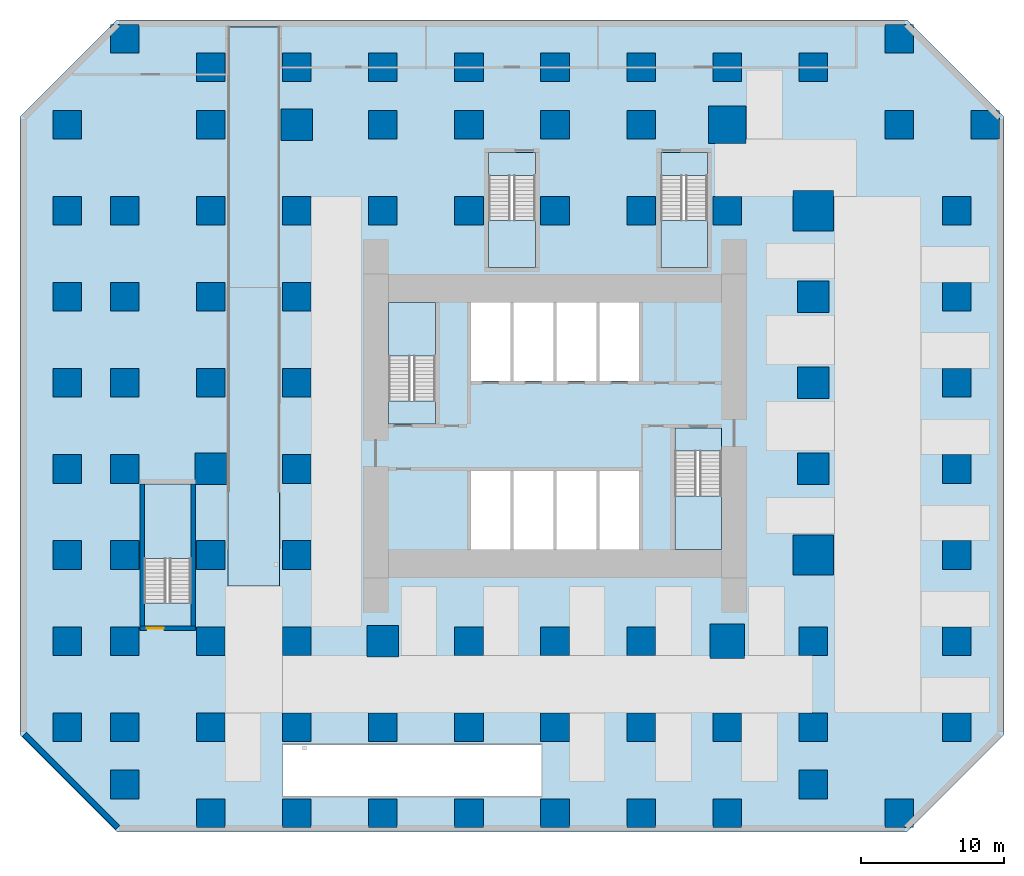
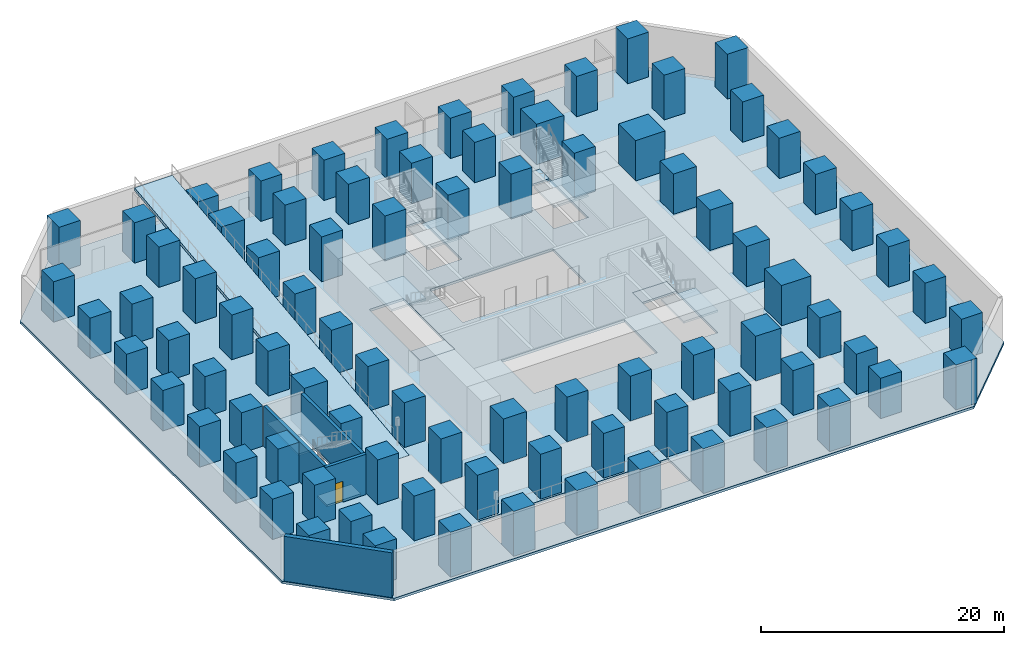
# One storey, part 1 of 6: 87 columns, 12 slabs, 4 walls, 1 door, 1 opening, 5 elements without a shape of their own.
"""IFC4 building model written with IfcOpenShell, lengths in metres."""

from ifc_helpers import new_model, si_unit, direction, frame, frame_2d, origin, origin_2d, place, context, subcontext, project, spatial, polyline, rectangle, outline, extrude, material, layer, layer_set, material_profile, profile_set, type_object, element, fill, aggregate, save


model = new_model("IFC4")

# Units and contexts
model_context = context("Model", 3, precision=1e-05, world=origin(), true_north=direction((0.0, 1.0)))
body_context = subcontext(model_context, "Body", "Model", "MODEL_VIEW")
ifc_project = project(units=[si_unit("LENGTHUNIT", "METRE"), si_unit("AREAUNIT", "SQUARE_METRE"), si_unit("VOLUMEUNIT", "CUBIC_METRE"), si_unit("PLANEANGLEUNIT", "RADIAN"), si_unit("MASSUNIT", "GRAM", prefix="KILO")], contexts=[model_context])

# Site, building, storey
site_placement = place(None, origin())
site = spatial("IfcSite", under=ifc_project, at=site_placement, CompositionType="ELEMENT")
building_placement = place(site_placement, origin())
building = spatial("IfcBuilding", under=site, at=building_placement, Name="Highveld Stack Headquarters", CompositionType="ELEMENT")
storey_placement = place(building_placement, frame((0.0, 0.0, -4.5)))
storey = spatial("IfcBuildingStorey", under=building, at=storey_placement, Name="B1", CompositionType="ELEMENT", Elevation=-4.5)

# Columns
ifc_material_1 = material(Name="Concrete C60/75", Category="concrete")
ifc_material_profile_1 = material_profile(ifc_material_1, rectangle(XDim=2.0, YDim=2.0, at=origin_2d()), Name="RC 2000x2000")
ifc_profile_set_1 = profile_set([ifc_material_profile_1], Name="Concrete C60/75")
column_type_1 = type_object("IfcColumnType", Name="COLUMN RC 2000x2000 C60/75", PredefinedType="COLUMN", material=ifc_profile_set_1)
for number, where, z_axis, x_axis, name in (
    (1, (-28.0, -18.0, 0.0), (0.0, 0.0, 1.0), (1.0, 0.0, 0.0), "Column -28.0/B B1"),
    (2, (-28.0, -12.0, 0.0), (0.0, 0.0, 1.0), (1.0, 0.0, 0.0), "Column -28.0/C B1"),
    (3, (-28.0, -6.0, 0.0), (0.0, 0.0, 1.0), (1.0, 0.0, 0.0), "Column -28.0/D B1"),
    (4, (-28.0, 0.0, 0.0), (0.0, 0.0, 1.0), (1.0, 0.0, 0.0), "Column -28.0/E B1"),
    (5, (-28.0, 6.0, 0.0), (0.0, 0.0, 1.0), (1.0, 0.0, 0.0), "Column -28.0/F B1"),
    (6, (-28.0, 12.0, 0.0), (0.0, 0.0, 1.0), (1.0, 0.0, 0.0), "Column -28.0/G B1"),
    (7, (-28.0, 18.0, 0.0), (0.0, 0.0, 1.0), (1.0, 0.0, 0.0), "Column -28.0/H B1"),
    (8, (-28.0, 24.0, 0.0), (0.0, 0.0, 1.0), (1.0, 0.0, 0.0), "Column -28.0/J B1"),
    (9, (-24.0, -22.0, 0.0), (0.0, 0.0, 1.0), (1.0, 0.0, 0.0), "Column 2/-22.0 B1"),
    (10, (-24.0, -18.0, 0.0), (0.0, 0.0, 1.0), (1.0, 0.0, 0.0), "Column 2/B B1"),
    (11, (-24.0, -12.0, 0.0), (0.0, 0.0, 1.0), (1.0, 0.0, 0.0), "Column 2/C B1"),
    (12, (-24.0, -6.0, 0.0), (0.0, 0.0, 1.0), (1.0, 0.0, 0.0), "Column 2/D B1"),
    (13, (-24.0, 0.0, 0.0), (0.0, 0.0, 1.0), (1.0, 0.0, 0.0), "Column 2/E B1"),
    (14, (-24.0, 6.0, 0.0), (0.0, 0.0, 1.0), (1.0, 0.0, 0.0), "Column 2/F B1"),
    (15, (-24.0, 12.0, 0.0), (0.0, 0.0, 1.0), (1.0, 0.0, 0.0), "Column 2/G B1"),
    (16, (-24.0, 18.0, 0.0), (0.0, 0.0, 1.0), (1.0, 0.0, 0.0), "Column 2/H B1"),
):
    element("IfcColumn", number, at=place(storey_placement, frame(where, z_axis=z_axis, x_axis=x_axis)), inside=storey, type_object=column_type_1, Name=name, PredefinedType="COLUMN", context=body_context, shape_type="SweptSolid", body=[
        extrude(rectangle(XDim=2.0, YDim=2.0, at=origin_2d()), origin(), (0.0, 0.0, 1.0), 4.050048828125),
    ])
for number, where, z_axis, x_axis, name in (
    (17, (-24.0, 30.0, 0.0), (0.0, 0.0, 1.0), (1.0, 0.0, 0.0), "Column 2/K B1"),
    (18, (-18.0, -24.0, 0.0), (0.0, 0.0, 1.0), (1.0, 0.0, 0.0), "Column 3/A B1"),
    (19, (-18.0, -18.0, 0.0), (0.0, 0.0, 1.0), (1.0, 0.0, 0.0), "Column 3/B B1"),
    (20, (-18.0, -12.0, 0.0), (0.0, 0.0, 1.0), (1.0, 0.0, 0.0), "Column 3/C B1"),
    (21, (-18.0, -6.0, 0.0), (0.0, 0.0, 1.0), (1.0, 0.0, 0.0), "Column 3/D B1"),
    (22, (-18.0, 6.0, 0.0), (0.0, 0.0, 1.0), (1.0, 0.0, 0.0), "Column 3/F B1"),
    (23, (-18.0, 12.0, 0.0), (0.0, 0.0, 1.0), (1.0, 0.0, 0.0), "Column 3/G B1"),
    (24, (-18.0, 18.0, 0.0), (0.0, 0.0, 1.0), (1.0, 0.0, 0.0), "Column 3/H B1"),
):
    element("IfcColumn", number, at=place(storey_placement, frame(where, z_axis=z_axis, x_axis=x_axis)), inside=storey, type_object=column_type_1, Name=name, PredefinedType="COLUMN", context=body_context, shape_type="SweptSolid", body=[
        extrude(rectangle(XDim=2.0, YDim=2.0, at=origin_2d()), origin(), (0.0, 0.0, 1.0), 4.5),
    ])
for number, where, z_axis, x_axis, name in (
    (25, (-18.0, 24.0, 0.0), (0.0, 0.0, 1.0), (1.0, 0.0, 0.0), "Column 3/J B1"),
    (26, (-18.0, 28.0, 0.0), (0.0, 0.0, 1.0), (1.0, 0.0, 0.0), "Column 3/28.0 B1"),
):
    element("IfcColumn", number, at=place(storey_placement, frame(where, z_axis=z_axis, x_axis=x_axis)), inside=storey, type_object=column_type_1, Name=name, PredefinedType="COLUMN", context=body_context, shape_type="SweptSolid", body=[
        extrude(rectangle(XDim=2.0, YDim=2.0, at=origin_2d()), origin(), (0.0, 0.0, 1.0), 4.050048828125),
    ])
for number, where, z_axis, x_axis, name in (
    (27, (-12.0, -24.0, 0.0), (0.0, 0.0, 1.0), (1.0, 0.0, 0.0), "Column 4/A B1"),
    (28, (-12.0, -18.0, 0.0), (0.0, 0.0, 1.0), (1.0, 0.0, 0.0), "Column 4/B B1"),
    (29, (-12.0, -12.0, 0.0), (0.0, 0.0, 1.0), (1.0, 0.0, 0.0), "Column 4/C B1"),
    (30, (-12.0, -6.0, 0.0), (0.0, 0.0, 1.0), (1.0, 0.0, 0.0), "Column 4/D B1"),
    (31, (-12.0, 0.0, 0.0), (0.0, 0.0, 1.0), (1.0, 0.0, 0.0), "Column 4/E B1"),
    (32, (-12.0, 6.0, 0.0), (0.0, 0.0, 1.0), (1.0, 0.0, 0.0), "Column 4/F B1"),
    (33, (-12.0, 12.0, 0.0), (0.0, 0.0, 1.0), (1.0, 0.0, 0.0), "Column 4/G B1"),
    (34, (-12.0, 18.0, 0.0), (0.0, 0.0, 1.0), (1.0, 0.0, 0.0), "Column 4/H B1"),
):
    element("IfcColumn", number, at=place(storey_placement, frame(where, z_axis=z_axis, x_axis=x_axis)), inside=storey, type_object=column_type_1, Name=name, PredefinedType="COLUMN", context=body_context, shape_type="SweptSolid", body=[
        extrude(rectangle(XDim=2.0, YDim=2.0, at=origin_2d()), origin(), (0.0, 0.0, 1.0), 4.5),
    ])
column_1_placement = place(storey_placement, frame((-12.0, 28.0, 0.0), z_axis=(0.0, 0.0, 1.0), x_axis=(1.0, 0.0, 0.0)))
element("IfcColumn", 35, at=column_1_placement, inside=storey, type_object=column_type_1, Name="Column 4/28.0 B1", PredefinedType="COLUMN", context=body_context, shape_type="SweptSolid", body=[
    extrude(rectangle(XDim=2.0, YDim=2.0, at=origin_2d()), origin(), (0.0, 0.0, 1.0), 4.050048828125),
])
for number, where, z_axis, x_axis, name in (
    (36, (-6.0, -24.0, 0.0), (0.0, 0.0, 1.0), (1.0, 0.0, 0.0), "Column 5/A B1"),
    (37, (-6.0, -18.0, 0.0), (0.0, 0.0, 1.0), (1.0, 0.0, 0.0), "Column 5/B B1"),
    (38, (-6.0, 18.0, 0.0), (0.0, 0.0, 1.0), (1.0, 0.0, 0.0), "Column 5/H B1"),
):
    element("IfcColumn", number, at=place(storey_placement, frame(where, z_axis=z_axis, x_axis=x_axis)), inside=storey, type_object=column_type_1, Name=name, PredefinedType="COLUMN", context=body_context, shape_type="SweptSolid", body=[
        extrude(rectangle(XDim=2.0, YDim=2.0, at=origin_2d()), origin(), (0.0, 0.0, 1.0), 4.5),
    ])
for number, where, z_axis, x_axis, name in (
    (39, (-6.0, 24.0, 0.0), (0.0, 0.0, 1.0), (1.0, 0.0, 0.0), "Column 5/J B1"),
    (40, (-6.0, 28.0, 0.0), (0.0, 0.0, 1.0), (1.0, 0.0, 0.0), "Column 5/28.0 B1"),
):
    element("IfcColumn", number, at=place(storey_placement, frame(where, z_axis=z_axis, x_axis=x_axis)), inside=storey, type_object=column_type_1, Name=name, PredefinedType="COLUMN", context=body_context, shape_type="SweptSolid", body=[
        extrude(rectangle(XDim=2.0, YDim=2.0, at=origin_2d()), origin(), (0.0, 0.0, 1.0), 4.050048828125),
    ])
for number, where, z_axis, x_axis, name in (
    (41, (0.0, -24.0, 0.0), (0.0, 0.0, 1.0), (1.0, 0.0, 0.0), "Column 6/A B1"),
    (42, (0.0, -18.0, 0.0), (0.0, 0.0, 1.0), (1.0, 0.0, 0.0), "Column 6/B B1"),
    (43, (0.0, -12.0, 0.0), (0.0, 0.0, 1.0), (1.0, 0.0, 0.0), "Column 6/C B1"),
    (44, (0.0, 18.0, 0.0), (0.0, 0.0, 1.0), (1.0, 0.0, 0.0), "Column 6/H B1"),
):
    element("IfcColumn", number, at=place(storey_placement, frame(where, z_axis=z_axis, x_axis=x_axis)), inside=storey, type_object=column_type_1, Name=name, PredefinedType="COLUMN", context=body_context, shape_type="SweptSolid", body=[
        extrude(rectangle(XDim=2.0, YDim=2.0, at=origin_2d()), origin(), (0.0, 0.0, 1.0), 4.5),
    ])
for number, where, z_axis, x_axis, name in (
    (45, (0.0, 24.0, 0.0), (0.0, 0.0, 1.0), (1.0, 0.0, 0.0), "Column 6/J B1"),
    (46, (0.0, 28.0, 0.0), (0.0, 0.0, 1.0), (1.0, 0.0, 0.0), "Column 6/28.0 B1"),
):
    element("IfcColumn", number, at=place(storey_placement, frame(where, z_axis=z_axis, x_axis=x_axis)), inside=storey, type_object=column_type_1, Name=name, PredefinedType="COLUMN", context=body_context, shape_type="SweptSolid", body=[
        extrude(rectangle(XDim=2.0, YDim=2.0, at=origin_2d()), origin(), (0.0, 0.0, 1.0), 4.050048828125),
    ])
for number, where, z_axis, x_axis, name in (
    (47, (6.0, -24.0, 0.0), (0.0, 0.0, 1.0), (1.0, 0.0, 0.0), "Column 7/A B1"),
    (48, (6.0, -18.0, 0.0), (0.0, 0.0, 1.0), (1.0, 0.0, 0.0), "Column 7/B B1"),
    (49, (6.0, -12.0, 0.0), (0.0, 0.0, 1.0), (1.0, 0.0, 0.0), "Column 7/C B1"),
    (50, (6.0, 18.0, 0.0), (0.0, 0.0, 1.0), (1.0, 0.0, 0.0), "Column 7/H B1"),
):
    element("IfcColumn", number, at=place(storey_placement, frame(where, z_axis=z_axis, x_axis=x_axis)), inside=storey, type_object=column_type_1, Name=name, PredefinedType="COLUMN", context=body_context, shape_type="SweptSolid", body=[
        extrude(rectangle(XDim=2.0, YDim=2.0, at=origin_2d()), origin(), (0.0, 0.0, 1.0), 4.5),
    ])
for number, where, z_axis, x_axis, name in (
    (51, (6.0, 24.0, 0.0), (0.0, 0.0, 1.0), (1.0, 0.0, 0.0), "Column 7/J B1"),
    (52, (6.0, 28.0, 0.0), (0.0, 0.0, 1.0), (1.0, 0.0, 0.0), "Column 7/28.0 B1"),
):
    element("IfcColumn", number, at=place(storey_placement, frame(where, z_axis=z_axis, x_axis=x_axis)), inside=storey, type_object=column_type_1, Name=name, PredefinedType="COLUMN", context=body_context, shape_type="SweptSolid", body=[
        extrude(rectangle(XDim=2.0, YDim=2.0, at=origin_2d()), origin(), (0.0, 0.0, 1.0), 4.050048828125),
    ])
for number, where, z_axis, x_axis, name in (
    (53, (12.0, -24.0, 0.0), (0.0, 0.0, 1.0), (1.0, 0.0, 0.0), "Column 8/A B1"),
    (54, (12.0, -18.0, 0.0), (0.0, 0.0, 1.0), (1.0, 0.0, 0.0), "Column 8/B B1"),
    (55, (12.0, -12.0, 0.0), (0.0, 0.0, 1.0), (1.0, 0.0, 0.0), "Column 8/C B1"),
    (56, (12.0, 18.0, 0.0), (0.0, 0.0, 1.0), (1.0, 0.0, 0.0), "Column 8/H B1"),
):
    element("IfcColumn", number, at=place(storey_placement, frame(where, z_axis=z_axis, x_axis=x_axis)), inside=storey, type_object=column_type_1, Name=name, PredefinedType="COLUMN", context=body_context, shape_type="SweptSolid", body=[
        extrude(rectangle(XDim=2.0, YDim=2.0, at=origin_2d()), origin(), (0.0, 0.0, 1.0), 4.5),
    ])
for number, where, z_axis, x_axis, name in (
    (57, (12.0, 24.0, 0.0), (0.0, 0.0, 1.0), (1.0, 0.0, 0.0), "Column 8/J B1"),
    (58, (12.0, 28.0, 0.0), (0.0, 0.0, 1.0), (1.0, 0.0, 0.0), "Column 8/28.0 B1"),
):
    element("IfcColumn", number, at=place(storey_placement, frame(where, z_axis=z_axis, x_axis=x_axis)), inside=storey, type_object=column_type_1, Name=name, PredefinedType="COLUMN", context=body_context, shape_type="SweptSolid", body=[
        extrude(rectangle(XDim=2.0, YDim=2.0, at=origin_2d()), origin(), (0.0, 0.0, 1.0), 4.050048828125),
    ])
for number, where, z_axis, x_axis, name in (
    (59, (18.0, -24.0, 0.0), (0.0, 0.0, 1.0), (1.0, 0.0, 0.0), "Column 9/A B1"),
    (60, (18.0, -18.0, 0.0), (0.0, 0.0, 1.0), (1.0, 0.0, 0.0), "Column 9/B B1"),
    (61, (18.0, 18.0, 0.0), (0.0, 0.0, 1.0), (1.0, 0.0, 0.0), "Column 9/H B1"),
):
    element("IfcColumn", number, at=place(storey_placement, frame(where, z_axis=z_axis, x_axis=x_axis)), inside=storey, type_object=column_type_1, Name=name, PredefinedType="COLUMN", context=body_context, shape_type="SweptSolid", body=[
        extrude(rectangle(XDim=2.0, YDim=2.0, at=origin_2d()), origin(), (0.0, 0.0, 1.0), 4.5),
    ])
for number, where, z_axis, x_axis, name in (
    (62, (18.0, 28.0, 0.0), (0.0, 0.0, 1.0), (1.0, 0.0, 0.0), "Column 9/28.0 B1"),
    (63, (24.0, -22.0, 0.0), (0.0, 0.0, 1.0), (1.0, 0.0, 0.0), "Column 10/-22.0 B1"),
    (64, (24.0, -18.0, 0.0), (0.0, 0.0, 1.0), (1.0, 0.0, 0.0), "Column 10/B B1"),
    (65, (24.0, -12.0, 0.0), (0.0, 0.0, 1.0), (1.0, 0.0, 0.0), "Column 10/C B1"),
    (66, (24.0, 28.0, 0.0), (0.0, 0.0, 1.0), (1.0, 0.0, 0.0), "Column 10/28.0 B1"),
):
    element("IfcColumn", number, at=place(storey_placement, frame(where, z_axis=z_axis, x_axis=x_axis)), inside=storey, type_object=column_type_1, Name=name, PredefinedType="COLUMN", context=body_context, shape_type="SweptSolid", body=[
        extrude(rectangle(XDim=2.0, YDim=2.0, at=origin_2d()), origin(), (0.0, 0.0, 1.0), 4.050048828125),
    ])
for number, where, z_axis, x_axis, name in (
    (67, (30.0, -24.0, 0.0), (0.0, 0.0, 1.0), (1.0, 0.0, 0.0), "Column 11/A B1"),
    (68, (30.0, 24.0, 0.0), (0.0, 0.0, 1.0), (1.0, 0.0, 0.0), "Column 11/J B1"),
    (69, (30.0, 30.0, 0.0), (0.0, 0.0, 1.0), (1.0, 0.0, 0.0), "Column 11/K B1"),
):
    element("IfcColumn", number, at=place(storey_placement, frame(where, z_axis=z_axis, x_axis=x_axis)), inside=storey, type_object=column_type_1, Name=name, PredefinedType="COLUMN", context=body_context, shape_type="SweptSolid", body=[
        extrude(rectangle(XDim=2.0, YDim=2.0, at=origin_2d()), origin(), (0.0, 0.0, 1.0), 4.5),
    ])
for number, where, z_axis, x_axis, name in (
    (70, (34.0, -18.0, 0.0), (0.0, 0.0, 1.0), (1.0, 0.0, 0.0), "Column 34.0/B B1"),
    (71, (34.0, -12.0, 0.0), (0.0, 0.0, 1.0), (1.0, 0.0, 0.0), "Column 34.0/C B1"),
    (72, (34.0, -6.0, 0.0), (0.0, 0.0, 1.0), (1.0, 0.0, 0.0), "Column 34.0/D B1"),
    (73, (34.0, 0.0, 0.0), (0.0, 0.0, 1.0), (1.0, 0.0, 0.0), "Column 34.0/E B1"),
    (74, (34.0, 6.0, 0.0), (0.0, 0.0, 1.0), (1.0, 0.0, 0.0), "Column 34.0/F B1"),
    (75, (34.0, 12.0, 0.0), (0.0, 0.0, 1.0), (1.0, 0.0, 0.0), "Column 34.0/G B1"),
    (76, (34.0, 18.0, 0.0), (0.0, 0.0, 1.0), (1.0, 0.0, 0.0), "Column 34.0/H B1"),
):
    element("IfcColumn", number, at=place(storey_placement, frame(where, z_axis=z_axis, x_axis=x_axis)), inside=storey, type_object=column_type_1, Name=name, PredefinedType="COLUMN", context=body_context, shape_type="SweptSolid", body=[
        extrude(rectangle(XDim=2.0, YDim=2.0, at=origin_2d()), origin(), (0.0, 0.0, 1.0), 4.050048828125),
    ])
column_2_placement = place(storey_placement, frame((36.0, 24.0, 0.0), z_axis=(0.0, 0.0, 1.0), x_axis=(1.0, 0.0, 0.0)))
element("IfcColumn", 77, at=column_2_placement, inside=storey, type_object=column_type_1, Name="Column 12/J B1", PredefinedType="COLUMN", context=body_context, shape_type="SweptSolid", body=[
    extrude(rectangle(XDim=2.0, YDim=2.0, at=origin_2d()), origin(), (0.0, 0.0, 1.0), 4.5),
])
ifc_material_2 = material(Name="Concrete C60/75", Category="concrete")
ifc_material_profile_2 = material_profile(ifc_material_2, rectangle(XDim=2.199951171875, YDim=2.199951171875, at=origin_2d()), Name="RC 2200x2200")
ifc_profile_set_2 = profile_set([ifc_material_profile_2], Name="Concrete C60/75")
column_type_2 = type_object("IfcColumnType", Name="COLUMN RC 2200x2200 C60/75", PredefinedType="COLUMN", material=ifc_profile_set_2)
column_3_placement = place(storey_placement, frame((-18.0, 0.0, 0.0), z_axis=(0.0, 0.0, 1.0), x_axis=(1.0, 0.0, 0.0)))
element("IfcColumn", 78, at=column_3_placement, inside=storey, type_object=column_type_2, Name="Column 3/E B1", PredefinedType="COLUMN", context=body_context, shape_type="SweptSolid", body=[
    extrude(rectangle(XDim=2.199951171875, YDim=2.199951171875, at=origin_2d()), origin(), (0.0, 0.0, 1.0), 4.5),
])
column_4_placement = place(storey_placement, frame((-12.0, 24.0, 0.0), z_axis=(0.0, 0.0, 1.0), x_axis=(1.0, 0.0, 0.0)))
element("IfcColumn", 79, at=column_4_placement, inside=storey, type_object=column_type_2, Name="Column 4/J B1", PredefinedType="COLUMN", context=body_context, shape_type="SweptSolid", body=[
    extrude(rectangle(XDim=2.199951171875, YDim=2.199951171875, at=origin_2d()), origin(), (0.0, 0.0, 1.0), 4.050048828125),
])
column_5_placement = place(storey_placement, frame((-6.0, -12.0, 0.0), z_axis=(0.0, 0.0, 1.0), x_axis=(1.0, 0.0, 0.0)))
element("IfcColumn", 80, at=column_5_placement, inside=storey, type_object=column_type_2, Name="Column 5/C B1", PredefinedType="COLUMN", context=body_context, shape_type="SweptSolid", body=[
    extrude(rectangle(XDim=2.199951171875, YDim=2.199951171875, at=origin_2d()), origin(), (0.0, 0.0, 1.0), 4.5),
])
for number, where, z_axis, x_axis, name in (
    (81, (24.0, 0.0, 0.0), (0.0, 0.0, 1.0), (1.0, 0.0, 0.0), "Column 10/E B1"),
    (82, (24.0, 6.0, 0.0), (0.0, 0.0, 1.0), (1.0, 0.0, 0.0), "Column 10/F B1"),
    (83, (24.0, 12.0, 0.0), (0.0, 0.0, 1.0), (1.0, 0.0, 0.0), "Column 10/G B1"),
):
    element("IfcColumn", number, at=place(storey_placement, frame(where, z_axis=z_axis, x_axis=x_axis)), inside=storey, type_object=column_type_2, Name=name, PredefinedType="COLUMN", context=body_context, shape_type="SweptSolid", body=[
        extrude(rectangle(XDim=2.199951171875, YDim=2.199951171875, at=origin_2d()), origin(), (0.0, 0.0, 1.0), 4.050048828125),
    ])
ifc_material_3 = material(Name="Concrete C60/75", Category="concrete")
ifc_material_profile_3 = material_profile(ifc_material_3, rectangle(XDim=2.39990234375, YDim=2.39990234375, at=origin_2d()), Name="RC 2400x2400")
ifc_profile_set_3 = profile_set([ifc_material_profile_3], Name="Concrete C60/75")
column_type_3 = type_object("IfcColumnType", Name="COLUMN RC 2400x2400 C60/75", PredefinedType="COLUMN", material=ifc_profile_set_3)
column_6_placement = place(storey_placement, frame((18.0, -12.0, 0.0), z_axis=(0.0, 0.0, 1.0), x_axis=(1.0, 0.0, 0.0)))
element("IfcColumn", 84, at=column_6_placement, inside=storey, type_object=column_type_3, Name="Column 9/C B1", PredefinedType="COLUMN", context=body_context, shape_type="SweptSolid", body=[
    extrude(rectangle(XDim=2.39990234375, YDim=2.39990234375, at=origin_2d()), origin(), (0.0, 0.0, 1.0), 4.5),
])
ifc_material_4 = material(Name="Concrete C60/75", Category="concrete")
ifc_material_profile_4 = material_profile(ifc_material_4, rectangle(XDim=2.60009765625, YDim=2.60009765625, at=origin_2d()), Name="RC 2600x2600")
ifc_profile_set_4 = profile_set([ifc_material_profile_4], Name="Concrete C60/75")
column_type_4 = type_object("IfcColumnType", Name="COLUMN RC 2600x2600 C60/75", PredefinedType="COLUMN", material=ifc_profile_set_4)
column_7_placement = place(storey_placement, frame((18.0, 24.0, 0.0), z_axis=(0.0, 0.0, 1.0), x_axis=(1.0, 0.0, 0.0)))
element("IfcColumn", 85, at=column_7_placement, inside=storey, type_object=column_type_4, Name="Column 9/J B1", PredefinedType="COLUMN", context=body_context, shape_type="SweptSolid", body=[
    extrude(rectangle(XDim=2.60009765625, YDim=2.60009765625, at=origin_2d()), origin(), (0.0, 0.0, 1.0), 4.050048828125),
])
ifc_material_5 = material(Name="Concrete C60/75", Category="concrete")
ifc_material_profile_5 = material_profile(ifc_material_5, rectangle(XDim=2.800048828125, YDim=2.800048828125, at=origin_2d()), Name="RC 2800x2800")
ifc_profile_set_5 = profile_set([ifc_material_profile_5], Name="Concrete C60/75")
column_type_5 = type_object("IfcColumnType", Name="COLUMN RC 2800x2800 C60/75", PredefinedType="COLUMN", material=ifc_profile_set_5)
for number, where, z_axis, x_axis, name in (
    (86, (24.0, -6.0, 0.0), (0.0, 0.0, 1.0), (1.0, 0.0, 0.0), "Column 10/D B1"),
    (87, (24.0, 18.0, 0.0), (0.0, 0.0, 1.0), (1.0, 0.0, 0.0), "Column 10/H B1"),
):
    element("IfcColumn", number, at=place(storey_placement, frame(where, z_axis=z_axis, x_axis=x_axis)), inside=storey, type_object=column_type_5, Name=name, PredefinedType="COLUMN", context=body_context, shape_type="SweptSolid", body=[
        extrude(rectangle(XDim=2.800048828125, YDim=2.800048828125, at=origin_2d()), origin(), (0.0, 0.0, 1.0), 4.050048828125),
    ])

# Slab
ifc_material_6 = material(Name="Concrete C60/75", Category="concrete")
ifc_layer_1 = layer(ifc_material_6, 0.25)
ifc_layer_set_1 = layer_set([ifc_layer_1], Name="Concrete C60/75")
slab_type_1 = type_object("IfcSlabType", Name="PT FLAT SLAB 250", PredefinedType="FLOOR", material=ifc_layer_set_1)
slab_1_placement = place(storey_placement, frame((0.0, 0.0, -0.25)))
element("IfcSlab", 88, at=slab_1_placement, inside=storey, type_object=slab_type_1, Name="Floor slab B1", PredefinedType="FLOOR", context=body_context, shape_type="SweptSolid", body=[
    extrude(outline(polyline([(-24.53857421875, -25.300048828125), (30.53857421875, -25.300048828125), (37.300048828125, -18.53857421875), (37.300048828125, 24.53857421875), (30.53857421875, 31.300048828125), (-24.53857421875, 31.300048828125), (-31.300048828125, 24.53857421875), (-31.300048828125, -18.53857421875), (-24.53857421875, -25.300048828125)]), holes=[polyline([(0.14990234375, 6.14990234375), (11.85009765625, 6.14990234375), (11.85009765625, 11.60009765625), (0.14990234375, 11.60009765625), (0.14990234375, 6.14990234375)]), polyline([(0.14990234375, -5.60009765625), (11.85009765625, -5.60009765625), (11.85009765625, -0.14990234375), (0.14990234375, -0.14990234375), (0.14990234375, -5.60009765625)]), polyline([(-5.60009765625, 3.14990234375), (-2.35009765625, 3.14990234375), (-2.35009765625, 11.60009765625), (-5.60009765625, 11.60009765625), (-5.60009765625, 3.14990234375)]), polyline([(14.35009765625, -5.60009765625), (17.60009765625, -5.60009765625), (17.60009765625, 2.85009765625), (14.35009765625, 2.85009765625), (14.35009765625, -5.60009765625)]), polyline([(-22.625, -10.949951171875), (-19.375, -10.949951171875), (-19.375, -1.050048828125), (-22.625, -1.050048828125), (-22.625, -10.949951171875)]), polyline([(13.375, 14.050048828125), (16.625, 14.050048828125), (16.625, 22.050048828125), (13.375, 22.050048828125), (13.375, 14.050048828125)]), polyline([(1.375, 14.050048828125), (4.625, 14.050048828125), (4.625, 22.050048828125), (1.375, 22.050048828125), (1.375, 14.050048828125)]), polyline([(-13.0, -22.800048828125), (5.039794921875, -22.800048828125), (5.039794921875, -19.199951171875), (-13.0, -19.199951171875), (-13.0, -22.800048828125)]), polyline([(-16.800048828125, -5.535400390625), (-16.800048828125, -8.14990234375), (-13.199951171875, -8.14990234375), (-13.199951171875, -5.535400390625), (-16.800048828125, -5.535400390625)])]), origin(), (0.0, 0.0, 1.0), 0.25),
])

# Stair, slabs
ifc_material_7 = material(Name="Concrete C40/50, precast", Category="concrete")
stair_type_1 = type_object("IfcStairType", Name="STAIR S1 HALF TURN 1500", PredefinedType="HALF_TURN_STAIR", material=ifc_material_7)
stair_1_placement = place(storey_placement, origin())
stair_1 = element("IfcStair", 89, at=stair_1_placement, inside=storey, type_object=stair_type_1, Name="Stair S1 B1", PredefinedType="HALF_TURN_STAIR")
ifc_material_8 = material(Name="Concrete C40/50, precast", Category="concrete")
ifc_layer_2 = layer(ifc_material_8, 0.199951171875)
ifc_layer_set_2 = layer_set([ifc_layer_2], Name="Concrete C40/50, precast")
slab_type_2 = type_object("IfcSlabType", Name="STAIR LANDING 200", PredefinedType="LANDING", material=ifc_layer_set_2)
slab_2_placement = place(storey_placement, frame((0.0, 0.0, 2.050048828125)))
slab_2 = element("IfcSlab", 90, at=slab_2_placement, type_object=slab_type_2, Name="S1 landing 1", PredefinedType="LANDING", context=body_context, shape_type="SweptSolid", body=[
    extrude(outline(polyline([(-5.60009765625, 7.8701171875), (-2.35009765625, 7.8701171875), (-2.35009765625, 11.60009765625), (-5.60009765625, 11.60009765625), (-5.60009765625, 7.8701171875)])), origin(), (0.0, 0.0, 1.0), 0.199951171875),
])
slab_3_placement = place(storey_placement, frame((0.0, 0.0, -0.199951171875)))
slab_3 = element("IfcSlab", 91, at=slab_3_placement, type_object=slab_type_2, Name="S1 landing 2", PredefinedType="LANDING", context=body_context, shape_type="SweptSolid", body=[
    extrude(outline(polyline([(-5.60009765625, 3.14990234375), (-2.35009765625, 3.14990234375), (-2.35009765625, 4.75), (-5.60009765625, 4.75), (-5.60009765625, 3.14990234375)])), origin(), (0.0, 0.0, 1.0), 0.199951171875),
])
aggregate(stair_1, [slab_2, slab_3])

ifc_material_9 = material(Name="Concrete C40/50, precast", Category="concrete")
stair_type_2 = type_object("IfcStairType", Name="STAIR S2 HALF TURN 1500", PredefinedType="HALF_TURN_STAIR", material=ifc_material_9)
stair_2_placement = place(storey_placement, origin())
stair_2 = element("IfcStair", 92, at=stair_2_placement, inside=storey, type_object=stair_type_2, Name="Stair S2 B1", PredefinedType="HALF_TURN_STAIR")
slab_4_placement = place(storey_placement, frame((0.0, 0.0, 2.050048828125)))
slab_4 = element("IfcSlab", 93, at=slab_4_placement, type_object=slab_type_2, Name="S2 landing 1", PredefinedType="LANDING", context=body_context, shape_type="SweptSolid", body=[
    extrude(outline(polyline([(14.35009765625, -5.60009765625), (17.60009765625, -5.60009765625), (17.60009765625, -1.8701171875), (14.35009765625, -1.8701171875), (14.35009765625, -5.60009765625)])), origin(), (0.0, 0.0, 1.0), 0.199951171875),
])
slab_5_placement = place(storey_placement, frame((0.0, 0.0, -0.199951171875)))
slab_5 = element("IfcSlab", 94, at=slab_5_placement, type_object=slab_type_2, Name="S2 landing 2", PredefinedType="LANDING", context=body_context, shape_type="SweptSolid", body=[
    extrude(outline(polyline([(14.35009765625, 1.25), (17.60009765625, 1.25), (17.60009765625, 2.85009765625), (14.35009765625, 2.85009765625), (14.35009765625, 1.25)])), origin(), (0.0, 0.0, 1.0), 0.199951171875),
])
aggregate(stair_2, [slab_4, slab_5])

ifc_material_10 = material(Name="Concrete C40/50, precast", Category="concrete")
stair_type_3 = type_object("IfcStairType", Name="STAIR PS1 HALF TURN 1500", PredefinedType="HALF_TURN_STAIR", material=ifc_material_10)
stair_3_placement = place(storey_placement, origin())
stair_3 = element("IfcStair", 95, at=stair_3_placement, inside=storey, type_object=stair_type_3, Name="Stair PS1 B1", PredefinedType="HALF_TURN_STAIR")
slab_6_placement = place(storey_placement, frame((0.0, 0.0, 2.050048828125)))
slab_6 = element("IfcSlab", 96, at=slab_6_placement, type_object=slab_type_2, Name="PS1 landing 1", PredefinedType="LANDING", context=body_context, shape_type="SweptSolid", body=[
    extrude(outline(polyline([(-22.625, -6.22998046875), (-19.375, -6.22998046875), (-19.375, -1.050048828125), (-22.625, -1.050048828125), (-22.625, -6.22998046875)])), origin(), (0.0, 0.0, 1.0), 0.199951171875),
])
slab_7_placement = place(storey_placement, frame((0.0, 0.0, -0.199951171875)))
slab_7 = element("IfcSlab", 97, at=slab_7_placement, type_object=slab_type_2, Name="PS1 landing 2", PredefinedType="LANDING", context=body_context, shape_type="SweptSolid", body=[
    extrude(outline(polyline([(-22.625, -10.949951171875), (-19.375, -10.949951171875), (-19.375, -9.35009765625), (-22.625, -9.35009765625), (-22.625, -10.949951171875)])), origin(), (0.0, 0.0, 1.0), 0.199951171875),
])
aggregate(stair_3, [slab_6, slab_7])

ifc_material_11 = material(Name="Concrete C40/50, precast", Category="concrete")
stair_type_4 = type_object("IfcStairType", Name="STAIR PS2 HALF TURN 1500", PredefinedType="HALF_TURN_STAIR", material=ifc_material_11)
stair_4_placement = place(storey_placement, origin())
stair_4 = element("IfcStair", 98, at=stair_4_placement, inside=storey, type_object=stair_type_4, Name="Stair PS2 B1", PredefinedType="HALF_TURN_STAIR")
slab_8_placement = place(storey_placement, frame((0.0, 0.0, 2.050048828125)))
slab_8 = element("IfcSlab", 99, at=slab_8_placement, type_object=slab_type_2, Name="PS2 landing 1", PredefinedType="LANDING", context=body_context, shape_type="SweptSolid", body=[
    extrude(outline(polyline([(13.375, 14.050048828125), (16.625, 14.050048828125), (16.625, 17.330078125), (13.375, 17.330078125), (13.375, 14.050048828125)])), origin(), (0.0, 0.0, 1.0), 0.199951171875),
])
slab_9_placement = place(storey_placement, frame((0.0, 0.0, -0.199951171875)))
slab_9 = element("IfcSlab", 100, at=slab_9_placement, type_object=slab_type_2, Name="PS2 landing 2", PredefinedType="LANDING", context=body_context, shape_type="SweptSolid", body=[
    extrude(outline(polyline([(13.375, 20.449951171875), (16.625, 20.449951171875), (16.625, 22.050048828125), (13.375, 22.050048828125), (13.375, 20.449951171875)])), origin(), (0.0, 0.0, 1.0), 0.199951171875),
])
aggregate(stair_4, [slab_8, slab_9])

ifc_material_12 = material(Name="Concrete C40/50, precast", Category="concrete")
stair_type_5 = type_object("IfcStairType", Name="STAIR PS3 HALF TURN 1500", PredefinedType="HALF_TURN_STAIR", material=ifc_material_12)
stair_5_placement = place(storey_placement, origin())
stair_5 = element("IfcStair", 101, at=stair_5_placement, inside=storey, type_object=stair_type_5, Name="Stair PS3 B1", PredefinedType="HALF_TURN_STAIR")
slab_10_placement = place(storey_placement, frame((0.0, 0.0, 2.050048828125)))
slab_10 = element("IfcSlab", 102, at=slab_10_placement, type_object=slab_type_2, Name="PS3 landing 1", PredefinedType="LANDING", context=body_context, shape_type="SweptSolid", body=[
    extrude(outline(polyline([(1.375, 14.050048828125), (4.625, 14.050048828125), (4.625, 17.330078125), (1.375, 17.330078125), (1.375, 14.050048828125)])), origin(), (0.0, 0.0, 1.0), 0.199951171875),
])
slab_11_placement = place(storey_placement, frame((0.0, 0.0, -0.199951171875)))
slab_11 = element("IfcSlab", 103, at=slab_11_placement, type_object=slab_type_2, Name="PS3 landing 2", PredefinedType="LANDING", context=body_context, shape_type="SweptSolid", body=[
    extrude(outline(polyline([(1.375, 20.449951171875), (4.625, 20.449951171875), (4.625, 22.050048828125), (1.375, 22.050048828125), (1.375, 20.449951171875)])), origin(), (0.0, 0.0, 1.0), 0.199951171875),
])
aggregate(stair_5, [slab_10, slab_11])

# Slab
ifc_material_13 = material(Name="Concrete C60/75", Category="concrete")
ifc_layer_3 = layer(ifc_material_13, 0.300048828125)
ifc_layer_set_3 = layer_set([ifc_layer_3], Name="Concrete C60/75")
slab_type_3 = type_object("IfcSlabType", Name="VEHICLE RAMP SLAB 300", PredefinedType="FLOOR", material=ifc_layer_set_3)
slab_12_placement = place(storey_placement, frame((-16.800048828125, 30.81591796875, 4.5), z_axis=(0.0, -0.114723330184, 0.993397482135), x_axis=(0.0, -0.993397482135, -0.114723330184)))
element("IfcSlab", 104, at=slab_12_placement, inside=storey, type_object=slab_type_3, Name="Vehicle ramp R1 ground floor to B1", PredefinedType="FLOOR", context=body_context, shape_type="SweptSolid", body=[
    extrude(outline(polyline([(0.0, 0.0), (39.22480277357731, 0.0), (39.22480277357731, 3.600097656250001), (0.0, 3.600097656250001), (0.0, 0.0)])), origin(), (0.0, 0.0, -1.0), 0.300048828125),
])

# Wall
ifc_material_14 = material(Name="Concrete C60/75", Category="concrete")
ifc_layer_4 = layer(ifc_material_14, 0.39990234375)
ifc_layer_set_4 = layer_set([ifc_layer_4], Name="Concrete C60/75")
wall_type_1 = type_object("IfcWallType", Name="BASEMENT RETAINING WALL 400", PredefinedType="USERDEFINED", material=ifc_layer_set_4)
wall_1_placement = place(storey_placement, frame((-24.494873046875, -24.989990234375, 0.0), z_axis=(0.0, 0.0, 1.0), x_axis=(-0.707106781187, 0.707106781187, 0.0)))
element("IfcWall", 105, at=wall_1_placement, inside=storey, type_object=wall_type_1, Name="Basement retaining wall B1 1", ObjectType="RETAINING WALL", PredefinedType="USERDEFINED", context=body_context, shape_type="SweptSolid", body=[
    extrude(rectangle(XDim=9.185546875, YDim=0.39990234375, at=frame_2d((4.5927734375, 0.0))), origin(), (0.0, 0.0, 1.0), 4.5),
])

# Wall, opening, door
ifc_material_15 = material(Name="Concrete C40/50", Category="concrete")
ifc_layer_5 = layer(ifc_material_15, 0.300048828125)
ifc_layer_set_5 = layer_set([ifc_layer_5], Name="Concrete C40/50")
wall_type_2 = type_object("IfcWallType", Name="STAIR ENCLOSURE WALL 300", PredefinedType="SOLIDWALL", material=ifc_layer_set_5)
wall_2_placement = place(storey_placement, frame((-22.925048828125, -11.10009765625, 0.0), z_axis=(0.0, 0.0, 1.0), x_axis=(1.0, 0.0, 0.0)))
wall_2 = element("IfcWall", 106, at=wall_2_placement, inside=storey, type_object=wall_type_2, Name="Stair PS1 enclosure S B1", PredefinedType="SOLIDWALL", context=body_context, shape_type="SweptSolid", body=[
    extrude(rectangle(XDim=3.85009765625, YDim=0.300048828125, at=frame_2d((1.925048828125, 0.0))), origin(), (0.0, 0.0, 1.0), 4.050048828125),
])
opening_placement = place(wall_2_placement, frame((0.449951171875, 0.0, 0.0)))
opening = element("IfcOpeningElement", 107, at=opening_placement, cuts=wall_2, Name="Opening B1-10", PredefinedType="OPENING", context=body_context, shape_type="SweptSolid", body=[
    extrude(rectangle(XDim=1.199951171875, YDim=2.10009765625, at=frame_2d((0.60009765625, 1.050048828125))), frame((0.0, 0.159912109375, 0.0), z_axis=(0.0, -1.0, 0.0), x_axis=(1.0, 0.0, 0.0)), (0.0, 0.0, 1.0), 0.320068359375),
])
ifc_material_16 = material(Name="Steel fire door", Category="steel")
door_type = type_object("IfcDoorType", Name="STAIR FIRE DOOR D3 1200x2100", OperationType="SINGLE_SWING_LEFT", PredefinedType="DOOR", material=ifc_material_16)
door_placement = place(opening_placement, origin())
door = element("IfcDoor", 108, at=door_placement, inside=storey, type_object=door_type, Name="Stair PS1 door B1", OperationType="SINGLE_SWING_LEFT", OverallHeight=2.10009765625, OverallWidth=1.199951171875, PredefinedType="DOOR", context=body_context, shape_type="SweptSolid", body=[
    extrude(rectangle(XDim=1.199951171875, YDim=2.10009765625, at=frame_2d((0.60009765625, 1.050048828125))), frame((0.0, 0.02490234375, 0.0), z_axis=(0.0, -1.0, 0.0), x_axis=(1.0, 0.0, 0.0)), (0.0, 0.0, 1.0), 0.050048828125),
])
fill(opening, door)

# Walls
for number, where, z_axis, x_axis, name in (
    (109, (-22.77490234375, -10.949951171875, 0.0), (0.0, 0.0, 1.0), (0.0, 1.0, 0.0), "Stair PS1 enclosure W B1"),
    (110, (-19.22509765625, -10.949951171875, 0.0), (0.0, 0.0, 1.0), (0.0, 1.0, 0.0), "Stair PS1 enclosure E B1"),
):
    element("IfcWall", number, at=place(storey_placement, frame(where, z_axis=z_axis, x_axis=x_axis)), inside=storey, type_object=wall_type_2, Name=name, PredefinedType="SOLIDWALL", context=body_context, shape_type="SweptSolid", body=[
        extrude(rectangle(XDim=9.89990234375, YDim=0.300048828125, at=frame_2d((4.949951171875, 0.0))), origin(), (0.0, 0.0, 1.0), 4.050048828125),
    ])

save(model, "model.ifc")
